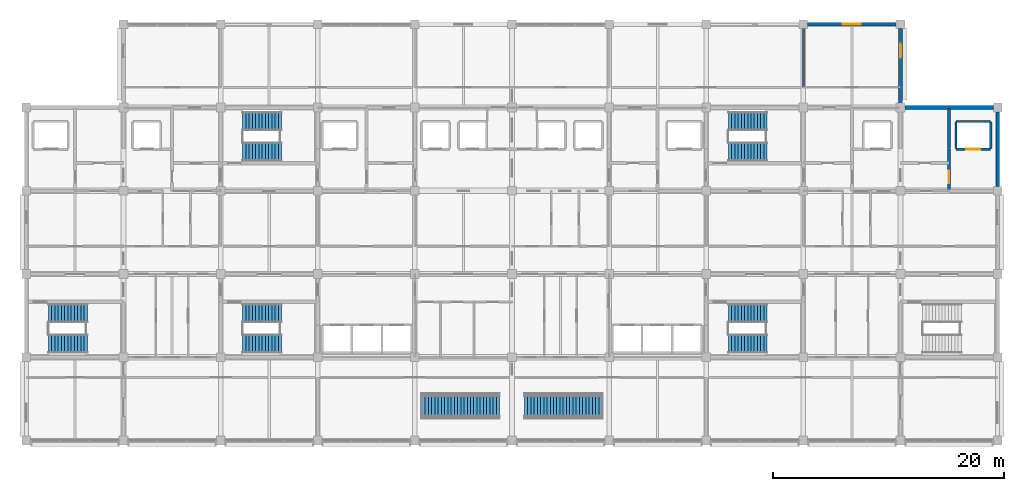
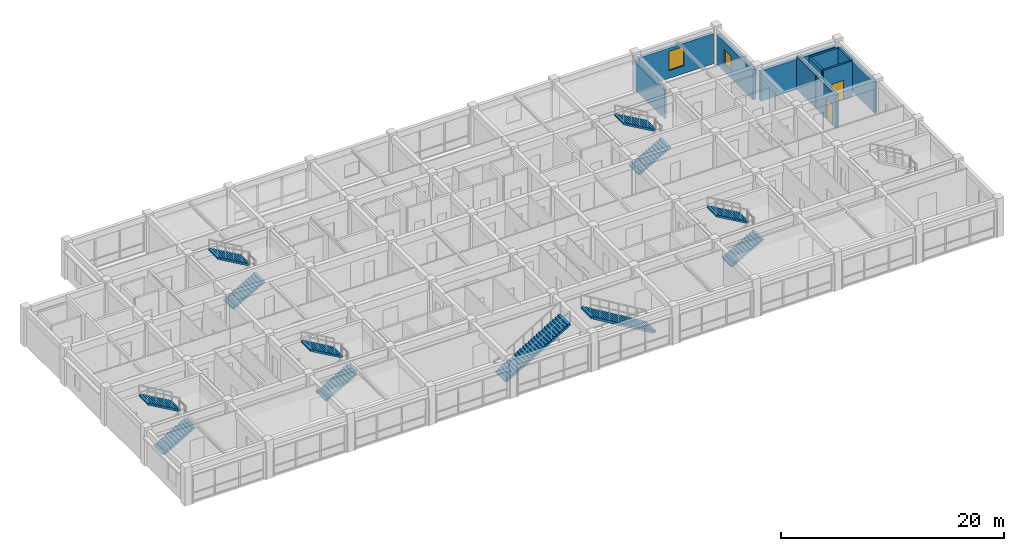
# One storey, part 23 of 27: 12 stair flights, 11 walls, 2 doors, 2 windows, 4 openings, 7 elements without a shape of their own.
"""IFC4 building model written with IfcOpenShell, lengths in metres."""

import ifcopenshell
import ifcopenshell.guid

model = None  # the IFC model being written
_history = None  # IfcOwnerHistory: only IFC2X3 demands one
_inside = {}  # id of a spatial element -> (the spatial element, [elements in it])
_under = {}  # id of a project, library or spatial element -> (it, [spatial elements below it])
_declared = {}  # id of a project -> (the project, [libraries it declares])
_typed = {}  # id of a type object -> (the type object, [elements of that type])
_made_of = {}  # id of a material, layer set ... -> (it, [elements and type objects made of it])


def new_model(schema):
    """Start an empty IFC model of exactly this schema.

    Asked for "IFC4X3", IfcOpenShell would pick the latest addendum, in which some entities
    have other attributes; the version numbers below select the first issue.
    IFC2X3 requires an IfcOwnerHistory on every rooted entity: one is made here for all.
    """
    global model, _history
    if schema == "IFC4X3":
        model = ifcopenshell.file(schema_version=(4, 3, 0, 0))
    else:
        model = ifcopenshell.file(schema=schema)
    _inside.clear()
    _under.clear()
    _declared.clear()
    _typed.clear()
    _made_of.clear()
    _history = None
    if model.schema == "IFC2X3":
        org = make("IfcOrganization", Name="unknown")
        user = make(
            "IfcPersonAndOrganization",
            ThePerson=make("IfcPerson", FamilyName="unknown"),
            TheOrganization=org,
        )
        app = make(
            "IfcApplication",
            ApplicationDeveloper=org,
            Version="unknown",
            ApplicationFullName="unknown",
            ApplicationIdentifier="unknown",
        )
        _history = make(
            "IfcOwnerHistory",
            OwningUser=user,
            OwningApplication=app,
            ChangeAction="ADDED",
            CreationDate=0,
        )
    return model


def make(cls, **values):
    """One entity of the class cls with the attributes given. An attribute that is None is left unset."""
    return model.create_entity(
        cls, **{name: value for name, value in values.items() if value is not None}
    )


def rooted(cls, **values):
    """An entity with a GlobalId (a new one), such as an element, a storey or a relation."""
    return make(cls, GlobalId=ifcopenshell.guid.new(), OwnerHistory=_history, **values)


def si_unit(unit_type, name, prefix=None):
    """IfcSIUnit, for example si_unit("LENGTHUNIT", "METRE", prefix="MILLI")."""
    return make("IfcSIUnit", UnitType=unit_type, Prefix=prefix, Name=name)


def assignment(units):
    """IfcUnitAssignment: the units of a project."""
    return None if units is None else make("IfcUnitAssignment", Units=units)


def point(xyz):
    """IfcCartesianPoint."""
    return None if xyz is None else make("IfcCartesianPoint", Coordinates=xyz)


def direction(xyz):
    """IfcDirection."""
    return None if xyz is None else make("IfcDirection", DirectionRatios=xyz)


def frame(location, z_axis=None, x_axis=None):
    """IfcAxis2Placement3D, a coordinate frame: its origin and axes. An axis left out is left unset."""
    return make(
        "IfcAxis2Placement3D",
        Location=point(location),
        Axis=direction(z_axis),
        RefDirection=direction(x_axis),
    )


def frame_2d(location, x_axis=None):
    """IfcAxis2Placement2D, a coordinate frame in the plane: its origin and x axis."""
    return make(
        "IfcAxis2Placement2D", Location=point(location), RefDirection=direction(x_axis)
    )


def origin():
    """The frame at (0, 0, 0) with its axes left unset."""
    return frame((0.0, 0.0, 0.0))


def place(relative_to, where):
    """IfcLocalPlacement: puts the frame where relative to a parent placement (None: the world)."""
    return make(
        "IfcLocalPlacement", PlacementRelTo=relative_to, RelativePlacement=where
    )


def context(
    kind, dimensions, precision=None, world=None, true_north=None, identifier=None
):
    """IfcGeometricRepresentationContext, for example the 3D "Model" context."""
    return make(
        "IfcGeometricRepresentationContext",
        ContextIdentifier=identifier,
        ContextType=kind,
        CoordinateSpaceDimension=dimensions,
        Precision=precision,
        WorldCoordinateSystem=world,
        TrueNorth=true_north,
    )


def subcontext(parent, identifier, kind, view, scale=None):
    """IfcGeometricRepresentationSubContext, for example "Body" below "Model"."""
    return make(
        "IfcGeometricRepresentationSubContext",
        ContextIdentifier=identifier,
        ContextType=kind,
        ParentContext=parent,
        TargetScale=scale,
        TargetView=view,
    )


def project(units=None, contexts=None):
    """IfcProject with its units and contexts."""
    return rooted(
        "IfcProject",
        Name="project",
        RepresentationContexts=contexts,
        UnitsInContext=assignment(units),
    )


def spatial(cls, under=None, at=None, **own):
    """A site, building, storey or space (cls), placed at a placement, below another one or the project."""
    s = rooted(cls, ObjectPlacement=at, **own)
    if under is not None:
        _under.setdefault(under.id(), (under, []))[1].append(s)
    return s


def polyline(points):
    """IfcPolyline through the points."""
    return make("IfcPolyline", Points=[point(p) for p in points])


def profile(cls, at=None, kind="AREA", **sizes):
    """A parametric profile (cls). Its sizes go by their IFC names, for example OverallWidth=200.0."""
    return make(cls, ProfileType=kind, Position=at, **sizes)


def rectangle(**sizes):
    """IfcRectangleProfileDef."""
    return profile("IfcRectangleProfileDef", **sizes)


def outline(outer, holes=None, kind="AREA"):
    """IfcArbitraryClosedProfileDef: a profile drawn as a closed curve; with holes, ...WithVoids."""
    if holes is None:
        return make("IfcArbitraryClosedProfileDef", ProfileType=kind, OuterCurve=outer)
    return make(
        "IfcArbitraryProfileDefWithVoids",
        ProfileType=kind,
        OuterCurve=outer,
        InnerCurves=holes,
    )


def extrude(swept, where, along, depth):
    """IfcExtrudedAreaSolid: the profile swept, set in the frame where, extruded along a direction by depth."""
    return make(
        "IfcExtrudedAreaSolid",
        SweptArea=swept,
        Position=where,
        ExtrudedDirection=direction(along),
        Depth=depth,
    )


def shape(context_of_items, identifier, shape_type, items):
    """IfcShapeRepresentation: the items that make up one representation, for example the "Body"."""
    return make(
        "IfcShapeRepresentation",
        ContextOfItems=context_of_items,
        RepresentationIdentifier=identifier,
        RepresentationType=shape_type,
        Items=items,
    )


def material(Name=None, Category=None):
    """IfcMaterial."""
    return make("IfcMaterial", Name=Name, Category=Category)


def layer(
    of_material, thickness, ventilated=None, Name=None, Category=None, Priority=None
):
    """IfcMaterialLayer: one layer of a wall or slab, of a material (None: an air gap)."""
    return make(
        "IfcMaterialLayer",
        Material=of_material,
        LayerThickness=thickness,
        IsVentilated=ventilated,
        Name=Name,
        Category=Category,
        Priority=Priority,
    )


def layer_set(layers, Name=None):
    """IfcMaterialLayerSet."""
    return make("IfcMaterialLayerSet", MaterialLayers=layers, LayerSetName=Name)


def made_of(thing, what):
    """Note that an element or type object is made of a material, layer set ...; save() writes the relation."""
    if what is not None:
        _made_of.setdefault(what.id(), (what, []))[1].append(thing)
    return thing


def type_object(cls, material=None, **own):
    """A type object (cls), such as IfcWallType, which elements share."""
    return made_of(rooted(cls, **own), material)


def element(
    cls,
    number,
    at=None,
    inside=None,
    cuts=None,
    type_object=None,
    material=None,
    context=None,
    identifier="Body",
    shape_type=None,
    held_by="IfcProductDefinitionShape",
    body=None,
    shapes=None,
    **own,
):
    """One element of the class cls, such as IfcWall. Its Tag is "e" and its number.

    at: its placement. inside: the storey or other place that contains it. cuts: it is an
    opening in that element (IfcRelVoidsElement). A single representation is given by context,
    identifier, shape_type and body (its items); several are given by shapes. held_by: the class
    of the entity that holds the representations. save() writes the other relations.
    """
    e = rooted(cls, Tag="e%d" % number, ObjectPlacement=at, **own)
    if body is not None:
        shapes = [shape(context, identifier, shape_type, body)]
    if shapes is not None:
        e.Representation = make(held_by, Representations=shapes)
    if inside is not None:
        _inside.setdefault(inside.id(), (inside, []))[1].append(e)
    if cuts is not None:
        rooted(
            "IfcRelVoidsElement", RelatingBuildingElement=cuts, RelatedOpeningElement=e
        )
    if type_object is not None:
        _typed.setdefault(type_object.id(), (type_object, []))[1].append(e)
    return made_of(e, material)


def fill(opening, filler):
    """IfcRelFillsElement: the door or window that sits in an opening."""
    return rooted(
        "IfcRelFillsElement",
        RelatingOpeningElement=opening,
        RelatedBuildingElement=filler,
    )


def aggregate(whole, parts):
    """IfcRelAggregates: a whole, such as a stair, and the parts it consists of."""
    return rooted("IfcRelAggregates", RelatingObject=whole, RelatedObjects=parts)


def save(model, path):
    """Write the relations noted so far, then the file.

    IfcRelAggregates (storeys below a building ...), IfcRelContainedInSpatialStructure (elements
    in a storey), IfcRelDefinesByType, IfcRelAssociatesMaterial and IfcRelDeclares: one each for
    every whole, place, type object, material and project.
    """
    for whole, parts in _under.values():
        aggregate(whole, parts)
    for where, things in _inside.values():
        rooted(
            "IfcRelContainedInSpatialStructure",
            RelatedElements=things,
            RelatingStructure=where,
        )
    for kind, things in _typed.values():
        rooted("IfcRelDefinesByType", RelatedObjects=things, RelatingType=kind)
    for what, things in _made_of.values():
        rooted("IfcRelAssociatesMaterial", RelatedObjects=things, RelatingMaterial=what)
    for by, libraries in _declared.values():
        rooted("IfcRelDeclares", RelatingContext=by, RelatedDefinitions=libraries)
    model.write(path)


model = new_model("IFC4")

# Units and contexts
model_context = context("Model", 3, precision=1e-05, world=origin(), true_north=direction((0.0, 1.0)))
body_context = subcontext(model_context, "Body", "Model", "MODEL_VIEW")
ifc_project = project(units=[si_unit("LENGTHUNIT", "METRE"), si_unit("AREAUNIT", "SQUARE_METRE"), si_unit("VOLUMEUNIT", "CUBIC_METRE"), si_unit("PLANEANGLEUNIT", "RADIAN"), si_unit("MASSUNIT", "GRAM", prefix="KILO")], contexts=[model_context])

# Site, building, storey
site_placement = place(None, origin())
site = spatial("IfcSite", under=ifc_project, at=site_placement, CompositionType="ELEMENT")
building_placement = place(site_placement, origin())
building = spatial("IfcBuilding", under=site, at=building_placement, Name="Chengyuan Square Courthouse", CompositionType="ELEMENT")
storey_placement = place(building_placement, frame((0.0, 0.0, 39.300048828125)))
storey = spatial("IfcBuildingStorey", under=building, at=storey_placement, Name="L09", CompositionType="ELEMENT", Elevation=39.300048828125)

# Wall, opening, window
ifc_material_1 = material(Name="Concrete C40", Category="concrete")
ifc_layer_1 = layer(ifc_material_1, 0.320068359375)
ifc_layer_set_1 = layer_set([ifc_layer_1], Name="Concrete C40")
wall_type_1 = type_object("IfcWallType", Name="WL-EW3", PredefinedType="STANDARD", material=ifc_layer_set_1)
wall_1_placement = place(storey_placement, frame((109.570068359375, 115.199951171875, 0.0), z_axis=(0.0, 0.0, 1.0), x_axis=(1.0, 0.0, 0.0)))
wall_1 = element("IfcWall", 1, at=wall_1_placement, inside=storey, type_object=wall_type_1, Name="Exterior Wall WL-L09-E422", PredefinedType="STANDARD", context=body_context, shape_type="SweptSolid", body=[
    extrude(rectangle(XDim=7.659912109375, YDim=0.320068359375, at=frame_2d((3.830078125, 0.0))), origin(), (0.0, 0.0, 1.0), 3.300048828125),
])
opening_1_placement = place(wall_1_placement, frame((3.054931640625, 0.0, 0.85009765625)))
opening_1 = element("IfcOpeningElement", 2, at=opening_1_placement, cuts=wall_1, Name="Opening WN-165", PredefinedType="OPENING", context=body_context, shape_type="SweptSolid", body=[
    extrude(rectangle(XDim=1.550048828125, YDim=2.1201171875, at=frame_2d((0.77490234375, 1.06005859375))), frame((0.0, 0.172119140625, 0.0), z_axis=(0.0, -1.0, 0.0), x_axis=(1.0, 0.0, 0.0)), (0.0, 0.0, 1.0), 0.343994140625),
])
ifc_material_2 = material(Name="Thermally Broken Aluminium Triple Low-E Window", Category="aluminium")
window_type_1 = type_object("IfcWindowType", Name="WT-30", PartitioningType="SINGLE_PANEL", PredefinedType="WINDOW", material=ifc_material_2)
window_1_placement = place(opening_1_placement, origin())
window_1 = element("IfcWindow", 3, at=window_1_placement, inside=storey, type_object=window_type_1, Name="Facade Window WN-165", OverallHeight=2.1201171875, OverallWidth=1.550048828125, PartitioningType="SINGLE_PANEL", PredefinedType="WINDOW", context=body_context, shape_type="SweptSolid", body=[
    extrude(rectangle(XDim=1.550048828125, YDim=2.1201171875, at=frame_2d((0.77490234375, 1.06005859375))), frame((0.0, 0.030029296875, 0.0), z_axis=(0.0, -1.0, 0.0), x_axis=(1.0, 0.0, 0.0)), (0.0, 0.0, 1.0), 0.06005859375),
])
fill(opening_1, window_1)

wall_2_placement = place(storey_placement, frame((117.60009765625, 108.3701171875, 0.0), z_axis=(0.0, 0.0, 1.0), x_axis=(0.0, 1.0, 0.0)))
wall_2 = element("IfcWall", 4, at=wall_2_placement, inside=storey, type_object=wall_type_1, Name="Exterior Wall WL-L09-E423", PredefinedType="STANDARD", context=body_context, shape_type="SweptSolid", body=[
    extrude(rectangle(XDim=6.4599609375, YDim=0.320068359375, at=frame_2d((3.22998046875, 0.0))), origin(), (0.0, 0.0, 1.0), 3.300048828125),
])
opening_2_placement = place(wall_2_placement, frame((3.929931640625, 0.0, 0.85009765625)))
opening_2 = element("IfcOpeningElement", 5, at=opening_2_placement, cuts=wall_2, Name="Opening WN-166", PredefinedType="OPENING", context=body_context, shape_type="SweptSolid", body=[
    extrude(rectangle(XDim=1.199951171875, YDim=1.56005859375, at=frame_2d((0.60009765625, 0.780029296875))), frame((0.0, 0.172119140625, 0.0), z_axis=(0.0, -1.0, 0.0), x_axis=(1.0, 0.0, 0.0)), (0.0, 0.0, 1.0), 0.343994140625),
])
window_type_2 = type_object("IfcWindowType", Name="WT-15", PartitioningType="SINGLE_PANEL", PredefinedType="WINDOW", material=ifc_material_2)
window_2_placement = place(opening_2_placement, origin())
window_2 = element("IfcWindow", 6, at=window_2_placement, inside=storey, type_object=window_type_2, Name="Facade Window WN-166", OverallHeight=1.56005859375, OverallWidth=1.199951171875, PartitioningType="SINGLE_PANEL", PredefinedType="WINDOW", context=body_context, shape_type="SweptSolid", body=[
    extrude(rectangle(XDim=1.199951171875, YDim=1.56005859375, at=frame_2d((0.60009765625, 0.780029296875))), frame((0.0, 0.030029296875, 0.0), z_axis=(0.0, -1.0, 0.0), x_axis=(1.0, 0.0, 0.0)), (0.0, 0.0, 1.0), 0.06005859375),
])
fill(opening_2, window_2)

# Walls
wall_3_placement = place(storey_placement, frame((117.969970703125, 108.0, 0.0), z_axis=(0.0, 0.0, 1.0), x_axis=(1.0, 0.0, 0.0)))
element("IfcWall", 7, at=wall_3_placement, inside=storey, type_object=wall_type_1, Name="Exterior Wall WL-L09-E427", PredefinedType="STANDARD", context=body_context, shape_type="SweptSolid", body=[
    extrude(rectangle(XDim=7.659912109375, YDim=0.320068359375, at=frame_2d((3.830078125, 0.0))), origin(), (0.0, 0.0, 1.0), 3.300048828125),
])
wall_4_placement = place(storey_placement, frame((126.0, 101.169921875, 0.0), z_axis=(0.0, 0.0, 1.0), x_axis=(0.0, 1.0, 0.0)))
element("IfcWall", 8, at=wall_4_placement, inside=storey, type_object=wall_type_1, Name="Exterior Wall WL-L09-E428", PredefinedType="STANDARD", context=body_context, shape_type="SweptSolid", body=[
    extrude(rectangle(XDim=6.4599609375, YDim=0.320068359375, at=frame_2d((3.22998046875, 0.0))), origin(), (0.0, 0.0, 1.0), 3.300048828125),
])

# Wall, opening, door
ifc_layer_2 = layer(ifc_material_1, 0.25)
ifc_layer_set_2 = layer_set([ifc_layer_2], Name="Concrete C40")
wall_type_2 = type_object("IfcWallType", Name="WL-FW1", PredefinedType="STANDARD", material=ifc_layer_set_2)
wall_5_placement = place(storey_placement, frame((121.800048828125, 100.800048828125, 0.0), z_axis=(0.0, 0.0, 1.0), x_axis=(0.0, 1.0, 0.0)))
wall_5 = element("IfcWall", 9, at=wall_5_placement, inside=storey, type_object=wall_type_2, Name="Interior Wall WL-L09-I3291", PredefinedType="STANDARD", context=body_context, shape_type="SweptSolid", body=[
    extrude(rectangle(XDim=3.599853515625, YDim=0.25, at=frame_2d((1.7998046875, 0.0))), origin(), (0.0, 0.0, 1.0), 3.599853515625),
])
opening_3_placement = place(wall_5_placement, frame((0.64990234375, 0.0, 0.0)))
opening_3 = element("IfcOpeningElement", 10, at=opening_3_placement, cuts=wall_5, Name="Opening DR-2670", PredefinedType="OPENING", context=body_context, shape_type="SweptSolid", body=[
    extrude(rectangle(XDim=1.10009765625, YDim=2.199951171875, at=frame_2d((0.550048828125, 1.10009765625))), frame((0.0, 0.136962890625, 0.0), z_axis=(0.0, -1.0, 0.0), x_axis=(1.0, 0.0, 0.0)), (0.0, 0.0, 1.0), 0.27392578125),
])
ifc_material_3 = material(Name="Steel Q235B Fire Door", Category="steel")
door_type_1 = type_object("IfcDoorType", Name="DT-10", OperationType="NOTDEFINED", PredefinedType="DOOR", material=ifc_material_3)
door_1_placement = place(opening_3_placement, origin())
door_1 = element("IfcDoor", 11, at=door_1_placement, inside=storey, type_object=door_type_1, Name="Interior Door DR-2670", OperationType="SINGLE_SWING_LEFT", OverallHeight=2.199951171875, OverallWidth=1.10009765625, PredefinedType="DOOR", context=body_context, shape_type="SweptSolid", body=[
    extrude(rectangle(XDim=1.10009765625, YDim=2.199951171875, at=frame_2d((0.550048828125, 1.10009765625))), frame((0.0, 0.02490234375, 0.0), z_axis=(0.0, -1.0, 0.0), x_axis=(1.0, 0.0, 0.0)), (0.0, 0.0, 1.0), 0.050048828125),
])
fill(opening_3, door_1)

# Walls
wall_6_placement = place(storey_placement, frame((121.800048828125, 104.449951171875, 0.0), z_axis=(0.0, 0.0, 1.0), x_axis=(0.0, 1.0, 0.0)))
element("IfcWall", 12, at=wall_6_placement, inside=storey, type_object=wall_type_2, Name="Interior Wall WL-L09-I3292", PredefinedType="STANDARD", context=body_context, shape_type="SweptSolid", body=[
    extrude(rectangle(XDim=3.4599609375, YDim=0.25, at=frame_2d((1.72998046875, 0.0))), origin(), (0.0, 0.0, 1.0), 3.599853515625),
])
ifc_material_4 = material(Name="Double-Stud Acoustic Gypsum Courtroom Partition")
ifc_layer_3 = layer(ifc_material_4, 0.179931640625)
ifc_layer_set_3 = layer_set([ifc_layer_3], Name="Double-Stud Acoustic Gypsum Courtroom Partition")
wall_type_3 = type_object("IfcWallType", Name="WL-PT1", PredefinedType="STANDARD", material=ifc_layer_set_3)
wall_7_placement = place(storey_placement, frame((109.199951171875, 109.75, 0.0), z_axis=(0.0, 0.0, 1.0), x_axis=(0.0, 1.0, 0.0)))
element("IfcWall", 13, at=wall_7_placement, inside=storey, type_object=wall_type_3, Name="Interior Wall WL-L09-I3278", PredefinedType="STANDARD", context=body_context, shape_type="SweptSolid", body=[
    extrude(rectangle(XDim=5.409912109375, YDim=0.179931640625, at=frame_2d((2.705078125, 0.0))), origin(), (0.0, 0.0, 1.0), 3.199951171875),
])

# Wall, opening, door
ifc_material_5 = material(Name="Reinforced Masonry Shaft Enclosure", Category="masonry")
ifc_layer_4 = layer(ifc_material_5, 0.199951171875)
ifc_layer_set_4 = layer_set([ifc_layer_4], Name="Reinforced Masonry Shaft Enclosure")
wall_type_4 = type_object("IfcWallType", Name="WL-SH1", PredefinedType="STANDARD", material=ifc_layer_set_4)
wall_8_placement = place(storey_placement, frame((122.39990234375, 104.39990234375, 0.0), z_axis=(0.0, 0.0, 1.0), x_axis=(1.0, 0.0, 0.0)))
wall_8 = element("IfcWall", 14, at=wall_8_placement, inside=storey, type_object=wall_type_4, Name="Interior Wall WL-L09-I3160", PredefinedType="STANDARD", context=body_context, shape_type="SweptSolid", body=[
    extrude(rectangle(XDim=3.0, YDim=0.199951171875, at=frame_2d((1.5, 0.0))), origin(), (0.0, 0.0, 1.0), 3.949951171875),
])
opening_4_placement = place(wall_8_placement, frame((0.89990234375, 0.0, 0.0)))
opening_4 = element("IfcOpeningElement", 15, at=opening_4_placement, cuts=wall_8, Name="Opening LD-152", PredefinedType="OPENING", context=body_context, shape_type="SweptSolid", body=[
    extrude(rectangle(XDim=1.199951171875, YDim=2.14990234375, at=frame_2d((0.60009765625, 1.074951171875))), frame((0.0, 0.112060546875, 0.0), z_axis=(0.0, -1.0, 0.0), x_axis=(1.0, 0.0, 0.0)), (0.0, 0.0, 1.0), 0.223876953125),
])
ifc_material_6 = material(Name="Stainless Steel S30408 Lift Landing Door", Category="steel")
door_type_2 = type_object("IfcDoorType", Name="DT-05", OperationType="DOUBLE_DOOR_SLIDING", PredefinedType="DOOR", material=ifc_material_6)
door_2_placement = place(opening_4_placement, origin())
door_2 = element("IfcDoor", 16, at=door_2_placement, inside=storey, type_object=door_type_2, Name="Lift Landing Door LF-F4 L09", OperationType="DOUBLE_DOOR_SLIDING", OverallHeight=2.14990234375, OverallWidth=1.199951171875, PredefinedType="DOOR", context=body_context, shape_type="SweptSolid", body=[
    extrude(rectangle(XDim=1.199951171875, YDim=2.14990234375, at=frame_2d((0.60009765625, 1.074951171875))), frame((0.0, 0.02490234375, 0.0), z_axis=(0.0, -1.0, 0.0), x_axis=(1.0, 0.0, 0.0)), (0.0, 0.0, 1.0), 0.050048828125),
])
fill(opening_4, door_2)

# Walls
wall_9_placement = place(storey_placement, frame((122.39990234375, 106.800048828125, 0.0), z_axis=(0.0, 0.0, 1.0), x_axis=(1.0, 0.0, 0.0)))
element("IfcWall", 17, at=wall_9_placement, inside=storey, type_object=wall_type_4, Name="Interior Wall WL-L09-I3170", PredefinedType="STANDARD", context=body_context, shape_type="SweptSolid", body=[
    extrude(rectangle(XDim=3.0, YDim=0.199951171875, at=frame_2d((1.5, 0.0))), origin(), (0.0, 0.0, 1.0), 3.949951171875),
])
for number, where, z_axis, x_axis, name in (
    (18, (122.39990234375, 104.449951171875, 0.0), (0.0, 0.0, 1.0), (0.0, 1.0, 0.0), "Interior Wall WL-L09-I3293"),
    (19, (125.39990234375, 104.449951171875, 0.0), (0.0, 0.0, 1.0), (0.0, 1.0, 0.0), "Interior Wall WL-L09-I3294"),
):
    element("IfcWall", number, at=place(storey_placement, frame(where, z_axis=z_axis, x_axis=x_axis)), inside=storey, type_object=wall_type_4, Name=name, PredefinedType="STANDARD", context=body_context, shape_type="SweptSolid", body=[
        extrude(rectangle(XDim=2.300048828125, YDim=0.199951171875, at=frame_2d((1.14990234375, 0.0))), origin(), (0.0, 0.0, 1.0), 3.949951171875),
    ])

# Stair, stair flights
stair_type_1 = type_object("IfcStairType", Name="ST-TYPE-01", PredefinedType="HALF_TURN_STAIR", material=ifc_material_1)
stair_1_placement = place(storey_placement, origin())
stair_1 = element("IfcStair", 20, at=stair_1_placement, inside=storey, type_object=stair_type_1, Name="Smoke-Proof Exit Stair ST-1 (L09 to L10)", PredefinedType="HALF_TURN_STAIR")
stair_flight_type_1 = type_object("IfcStairFlightType", Name="STF-TYPE-01", PredefinedType="STRAIGHT", material=ifc_material_1)
stair_flight_1_placement = place(storey_placement, frame((60.7099609375, 104.175048828125, 0.0), z_axis=(0.0, 0.0, 1.0), x_axis=(1.0, 0.0, 0.0)))
stair_flight_1 = element("IfcStairFlight", 21, at=stair_flight_1_placement, type_object=stair_flight_type_1, Name="ST-1 flight 1", NumberOfRisers=13, NumberOfTreads=12, PredefinedType="STRAIGHT", RiserHeight=0.161538462, TreadLength=0.28, context=body_context, shape_type="SweptSolid", body=[
    extrude(outline(polyline([(0.0, 0.0), (0.0, 0.16162109375), (0.280029296875, 0.16162109375), (0.280029296875, 0.322998046875), (0.56005859375, 0.322998046875), (0.56005859375, 0.484619140625), (0.840087890625, 0.484619140625), (0.840087890625, 0.646240234375), (1.1201171875, 0.646240234375), (1.1201171875, 0.8076171875), (1.39990234375, 0.8076171875), (1.39990234375, 0.96923828125), (1.679931640625, 0.96923828125), (1.679931640625, 1.130859375), (1.9599609375, 1.130859375), (1.9599609375, 1.292236328125), (2.239990234375, 1.292236328125), (2.239990234375, 1.453857421875), (2.52001953125, 1.453857421875), (2.52001953125, 1.615478515625), (2.800048828125, 1.615478515625), (2.800048828125, 1.77685546875), (3.080078125, 1.77685546875), (3.080078125, 1.9384765625), (3.360107421875, 1.9384765625), (3.360107421875, 2.10009765625), (3.360107421875, 1.765380859375), (0.300048828125, 0.0), (0.0, 0.0)])), frame((0.0, 0.824951171875, 0.0), z_axis=(0.0, -1.0, 0.0), x_axis=(1.0, 0.0, 0.0)), (0.0, 0.0, 1.0), 1.64990234375),
])
stair_flight_2_placement = place(storey_placement, frame((64.070068359375, 106.824951171875, 2.099853515625), z_axis=(0.0, 0.0, 1.0), x_axis=(-1.0, 0.0, 0.0)))
stair_flight_2 = element("IfcStairFlight", 22, at=stair_flight_2_placement, type_object=stair_flight_type_1, Name="ST-1 flight 2", NumberOfRisers=13, NumberOfTreads=12, PredefinedType="STRAIGHT", RiserHeight=0.161538462, TreadLength=0.28, context=body_context, shape_type="SweptSolid", body=[
    extrude(outline(polyline([(0.0, 0.0), (0.0, 0.16162109375), (0.280029296875, 0.16162109375), (0.280029296875, 0.322998046875), (0.56005859375, 0.322998046875), (0.56005859375, 0.484619140625), (0.840087890625, 0.484619140625), (0.840087890625, 0.646240234375), (1.1201171875, 0.646240234375), (1.1201171875, 0.8076171875), (1.39990234375, 0.8076171875), (1.39990234375, 0.96923828125), (1.679931640625, 0.96923828125), (1.679931640625, 1.130859375), (1.9599609375, 1.130859375), (1.9599609375, 1.292236328125), (2.239990234375, 1.292236328125), (2.239990234375, 1.453857421875), (2.52001953125, 1.453857421875), (2.52001953125, 1.615478515625), (2.800048828125, 1.615478515625), (2.800048828125, 1.77685546875), (3.080078125, 1.77685546875), (3.080078125, 1.9384765625), (3.360107421875, 1.9384765625), (3.360107421875, 2.10009765625), (3.360107421875, 1.765380859375), (0.300048828125, 0.0), (0.0, 0.0)])), frame((0.0, 0.824951171875, 0.0), z_axis=(0.0, -1.0, 0.0), x_axis=(1.0, 0.0, 0.0)), (0.0, 0.0, 1.0), 1.64990234375),
])
aggregate(stair_1, [stair_flight_1, stair_flight_2])

stair_type_2 = type_object("IfcStairType", Name="ST-TYPE-02", PredefinedType="HALF_TURN_STAIR", material=ifc_material_1)
stair_2_placement = place(storey_placement, origin())
stair_2 = element("IfcStair", 23, at=stair_2_placement, inside=storey, type_object=stair_type_2, Name="Smoke-Proof Exit Stair ST-2 (L09 to L10)", PredefinedType="HALF_TURN_STAIR")
stair_flight_type_2 = type_object("IfcStairFlightType", Name="STF-TYPE-02", PredefinedType="STRAIGHT", material=ifc_material_1)
stair_flight_3_placement = place(storey_placement, frame((102.7099609375, 104.175048828125, 0.0), z_axis=(0.0, 0.0, 1.0), x_axis=(1.0, 0.0, 0.0)))
stair_flight_3 = element("IfcStairFlight", 24, at=stair_flight_3_placement, type_object=stair_flight_type_2, Name="ST-2 flight 1", NumberOfRisers=13, NumberOfTreads=12, PredefinedType="STRAIGHT", RiserHeight=0.161538462, TreadLength=0.28, context=body_context, shape_type="SweptSolid", body=[
    extrude(outline(polyline([(0.0, 0.0), (0.0, 0.16162109375), (0.280029296875, 0.16162109375), (0.280029296875, 0.322998046875), (0.56005859375, 0.322998046875), (0.56005859375, 0.484619140625), (0.840087890625, 0.484619140625), (0.840087890625, 0.646240234375), (1.1201171875, 0.646240234375), (1.1201171875, 0.8076171875), (1.39990234375, 0.8076171875), (1.39990234375, 0.96923828125), (1.679931640625, 0.96923828125), (1.679931640625, 1.130859375), (1.9599609375, 1.130859375), (1.9599609375, 1.292236328125), (2.239990234375, 1.292236328125), (2.239990234375, 1.453857421875), (2.52001953125, 1.453857421875), (2.52001953125, 1.615478515625), (2.800048828125, 1.615478515625), (2.800048828125, 1.77685546875), (3.080078125, 1.77685546875), (3.080078125, 1.9384765625), (3.360107421875, 1.9384765625), (3.360107421875, 2.10009765625), (3.360107421875, 1.765380859375), (0.300048828125, 0.0), (0.0, 0.0)])), frame((0.0, 0.824951171875, 0.0), z_axis=(0.0, -1.0, 0.0), x_axis=(1.0, 0.0, 0.0)), (0.0, 0.0, 1.0), 1.64990234375),
])
stair_flight_4_placement = place(storey_placement, frame((106.070068359375, 106.824951171875, 2.099853515625), z_axis=(0.0, 0.0, 1.0), x_axis=(-1.0, 0.0, 0.0)))
stair_flight_4 = element("IfcStairFlight", 25, at=stair_flight_4_placement, type_object=stair_flight_type_2, Name="ST-2 flight 2", NumberOfRisers=13, NumberOfTreads=12, PredefinedType="STRAIGHT", RiserHeight=0.161538462, TreadLength=0.28, context=body_context, shape_type="SweptSolid", body=[
    extrude(outline(polyline([(0.0, 0.0), (0.0, 0.16162109375), (0.280029296875, 0.16162109375), (0.280029296875, 0.322998046875), (0.56005859375, 0.322998046875), (0.56005859375, 0.484619140625), (0.840087890625, 0.484619140625), (0.840087890625, 0.646240234375), (1.1201171875, 0.646240234375), (1.1201171875, 0.8076171875), (1.39990234375, 0.8076171875), (1.39990234375, 0.96923828125), (1.679931640625, 0.96923828125), (1.679931640625, 1.130859375), (1.9599609375, 1.130859375), (1.9599609375, 1.292236328125), (2.239990234375, 1.292236328125), (2.239990234375, 1.453857421875), (2.52001953125, 1.453857421875), (2.52001953125, 1.615478515625), (2.800048828125, 1.615478515625), (2.800048828125, 1.77685546875), (3.080078125, 1.77685546875), (3.080078125, 1.9384765625), (3.360107421875, 1.9384765625), (3.360107421875, 2.10009765625), (3.360107421875, 1.765380859375), (0.300048828125, 0.0), (0.0, 0.0)])), frame((0.0, 0.824951171875, 0.0), z_axis=(0.0, -1.0, 0.0), x_axis=(1.0, 0.0, 0.0)), (0.0, 0.0, 1.0), 1.64990234375),
])
aggregate(stair_2, [stair_flight_3, stair_flight_4])

stair_type_3 = type_object("IfcStairType", Name="ST-TYPE-03", PredefinedType="HALF_TURN_STAIR", material=ifc_material_1)
stair_3_placement = place(storey_placement, origin())
stair_3 = element("IfcStair", 26, at=stair_3_placement, inside=storey, type_object=stair_type_3, Name="Smoke-Proof Exit Stair ST-3 (L09 to L10)", PredefinedType="HALF_TURN_STAIR")
stair_flight_type_3 = type_object("IfcStairFlightType", Name="STF-TYPE-03", PredefinedType="STRAIGHT", material=ifc_material_1)
stair_flight_5_placement = place(storey_placement, frame((60.7099609375, 87.574951171875, 0.0), z_axis=(0.0, 0.0, 1.0), x_axis=(1.0, 0.0, 0.0)))
stair_flight_5 = element("IfcStairFlight", 27, at=stair_flight_5_placement, type_object=stair_flight_type_3, Name="ST-3 flight 1", NumberOfRisers=13, NumberOfTreads=12, PredefinedType="STRAIGHT", RiserHeight=0.161538462, TreadLength=0.28, context=body_context, shape_type="SweptSolid", body=[
    extrude(outline(polyline([(0.0, 0.0), (0.0, 0.16162109375), (0.280029296875, 0.16162109375), (0.280029296875, 0.322998046875), (0.56005859375, 0.322998046875), (0.56005859375, 0.484619140625), (0.840087890625, 0.484619140625), (0.840087890625, 0.646240234375), (1.1201171875, 0.646240234375), (1.1201171875, 0.8076171875), (1.39990234375, 0.8076171875), (1.39990234375, 0.96923828125), (1.679931640625, 0.96923828125), (1.679931640625, 1.130859375), (1.9599609375, 1.130859375), (1.9599609375, 1.292236328125), (2.239990234375, 1.292236328125), (2.239990234375, 1.453857421875), (2.52001953125, 1.453857421875), (2.52001953125, 1.615478515625), (2.800048828125, 1.615478515625), (2.800048828125, 1.77685546875), (3.080078125, 1.77685546875), (3.080078125, 1.9384765625), (3.360107421875, 1.9384765625), (3.360107421875, 2.10009765625), (3.360107421875, 1.765380859375), (0.300048828125, 0.0), (0.0, 0.0)])), frame((0.0, 0.824951171875, 0.0), z_axis=(0.0, -1.0, 0.0), x_axis=(1.0, 0.0, 0.0)), (0.0, 0.0, 1.0), 1.64990234375),
])
stair_flight_6_placement = place(storey_placement, frame((64.070068359375, 90.22509765625, 2.099853515625), z_axis=(0.0, 0.0, 1.0), x_axis=(-1.0, 0.0, 0.0)))
stair_flight_6 = element("IfcStairFlight", 28, at=stair_flight_6_placement, type_object=stair_flight_type_3, Name="ST-3 flight 2", NumberOfRisers=13, NumberOfTreads=12, PredefinedType="STRAIGHT", RiserHeight=0.161538462, TreadLength=0.28, context=body_context, shape_type="SweptSolid", body=[
    extrude(outline(polyline([(0.0, 0.0), (0.0, 0.16162109375), (0.280029296875, 0.16162109375), (0.280029296875, 0.322998046875), (0.56005859375, 0.322998046875), (0.56005859375, 0.484619140625), (0.840087890625, 0.484619140625), (0.840087890625, 0.646240234375), (1.1201171875, 0.646240234375), (1.1201171875, 0.8076171875), (1.39990234375, 0.8076171875), (1.39990234375, 0.96923828125), (1.679931640625, 0.96923828125), (1.679931640625, 1.130859375), (1.9599609375, 1.130859375), (1.9599609375, 1.292236328125), (2.239990234375, 1.292236328125), (2.239990234375, 1.453857421875), (2.52001953125, 1.453857421875), (2.52001953125, 1.615478515625), (2.800048828125, 1.615478515625), (2.800048828125, 1.77685546875), (3.080078125, 1.77685546875), (3.080078125, 1.9384765625), (3.360107421875, 1.9384765625), (3.360107421875, 2.10009765625), (3.360107421875, 1.765380859375), (0.300048828125, 0.0), (0.0, 0.0)])), frame((0.0, 0.824951171875, 0.0), z_axis=(0.0, -1.0, 0.0), x_axis=(1.0, 0.0, 0.0)), (0.0, 0.0, 1.0), 1.64990234375),
])
aggregate(stair_3, [stair_flight_5, stair_flight_6])

stair_type_4 = type_object("IfcStairType", Name="ST-TYPE-04", PredefinedType="HALF_TURN_STAIR", material=ifc_material_1)
stair_4_placement = place(storey_placement, origin())
stair_4 = element("IfcStair", 29, at=stair_4_placement, inside=storey, type_object=stair_type_4, Name="Smoke-Proof Exit Stair ST-4 (L09 to L10)", PredefinedType="HALF_TURN_STAIR")
stair_flight_type_4 = type_object("IfcStairFlightType", Name="STF-TYPE-04", PredefinedType="STRAIGHT", material=ifc_material_1)
stair_flight_7_placement = place(storey_placement, frame((102.7099609375, 87.574951171875, 0.0), z_axis=(0.0, 0.0, 1.0), x_axis=(1.0, 0.0, 0.0)))
stair_flight_7 = element("IfcStairFlight", 30, at=stair_flight_7_placement, type_object=stair_flight_type_4, Name="ST-4 flight 1", NumberOfRisers=13, NumberOfTreads=12, PredefinedType="STRAIGHT", RiserHeight=0.161538462, TreadLength=0.28, context=body_context, shape_type="SweptSolid", body=[
    extrude(outline(polyline([(0.0, 0.0), (0.0, 0.16162109375), (0.280029296875, 0.16162109375), (0.280029296875, 0.322998046875), (0.56005859375, 0.322998046875), (0.56005859375, 0.484619140625), (0.840087890625, 0.484619140625), (0.840087890625, 0.646240234375), (1.1201171875, 0.646240234375), (1.1201171875, 0.8076171875), (1.39990234375, 0.8076171875), (1.39990234375, 0.96923828125), (1.679931640625, 0.96923828125), (1.679931640625, 1.130859375), (1.9599609375, 1.130859375), (1.9599609375, 1.292236328125), (2.239990234375, 1.292236328125), (2.239990234375, 1.453857421875), (2.52001953125, 1.453857421875), (2.52001953125, 1.615478515625), (2.800048828125, 1.615478515625), (2.800048828125, 1.77685546875), (3.080078125, 1.77685546875), (3.080078125, 1.9384765625), (3.360107421875, 1.9384765625), (3.360107421875, 2.10009765625), (3.360107421875, 1.765380859375), (0.300048828125, 0.0), (0.0, 0.0)])), frame((0.0, 0.824951171875, 0.0), z_axis=(0.0, -1.0, 0.0), x_axis=(1.0, 0.0, 0.0)), (0.0, 0.0, 1.0), 1.64990234375),
])
stair_flight_8_placement = place(storey_placement, frame((106.070068359375, 90.22509765625, 2.099853515625), z_axis=(0.0, 0.0, 1.0), x_axis=(-1.0, 0.0, 0.0)))
stair_flight_8 = element("IfcStairFlight", 31, at=stair_flight_8_placement, type_object=stair_flight_type_4, Name="ST-4 flight 2", NumberOfRisers=13, NumberOfTreads=12, PredefinedType="STRAIGHT", RiserHeight=0.161538462, TreadLength=0.28, context=body_context, shape_type="SweptSolid", body=[
    extrude(outline(polyline([(0.0, 0.0), (0.0, 0.16162109375), (0.280029296875, 0.16162109375), (0.280029296875, 0.322998046875), (0.56005859375, 0.322998046875), (0.56005859375, 0.484619140625), (0.840087890625, 0.484619140625), (0.840087890625, 0.646240234375), (1.1201171875, 0.646240234375), (1.1201171875, 0.8076171875), (1.39990234375, 0.8076171875), (1.39990234375, 0.96923828125), (1.679931640625, 0.96923828125), (1.679931640625, 1.130859375), (1.9599609375, 1.130859375), (1.9599609375, 1.292236328125), (2.239990234375, 1.292236328125), (2.239990234375, 1.453857421875), (2.52001953125, 1.453857421875), (2.52001953125, 1.615478515625), (2.800048828125, 1.615478515625), (2.800048828125, 1.77685546875), (3.080078125, 1.77685546875), (3.080078125, 1.9384765625), (3.360107421875, 1.9384765625), (3.360107421875, 2.10009765625), (3.360107421875, 1.765380859375), (0.300048828125, 0.0), (0.0, 0.0)])), frame((0.0, 0.824951171875, 0.0), z_axis=(0.0, -1.0, 0.0), x_axis=(1.0, 0.0, 0.0)), (0.0, 0.0, 1.0), 1.64990234375),
])
aggregate(stair_4, [stair_flight_7, stair_flight_8])

stair_type_5 = type_object("IfcStairType", Name="ST-TYPE-05", PredefinedType="HALF_TURN_STAIR", material=ifc_material_1)
stair_5_placement = place(storey_placement, origin())
stair_5 = element("IfcStair", 32, at=stair_5_placement, inside=storey, type_object=stair_type_5, Name="Smoke-Proof Exit Stair ST-5 (L09 to L10)", PredefinedType="HALF_TURN_STAIR")
stair_flight_type_5 = type_object("IfcStairFlightType", Name="STF-TYPE-05", PredefinedType="STRAIGHT", material=ifc_material_1)
stair_flight_9_placement = place(storey_placement, frame((43.909912109375, 87.574951171875, 0.0), z_axis=(0.0, 0.0, 1.0), x_axis=(1.0, 0.0, 0.0)))
stair_flight_9 = element("IfcStairFlight", 33, at=stair_flight_9_placement, type_object=stair_flight_type_5, Name="ST-5 flight 1", NumberOfRisers=13, NumberOfTreads=12, PredefinedType="STRAIGHT", RiserHeight=0.161538462, TreadLength=0.28, context=body_context, shape_type="SweptSolid", body=[
    extrude(outline(polyline([(0.0, 0.0), (0.0, 0.16162109375), (0.280029296875, 0.16162109375), (0.280029296875, 0.322998046875), (0.56005859375, 0.322998046875), (0.56005859375, 0.484619140625), (0.840087890625, 0.484619140625), (0.840087890625, 0.646240234375), (1.1201171875, 0.646240234375), (1.1201171875, 0.8076171875), (1.39990234375, 0.8076171875), (1.39990234375, 0.96923828125), (1.679931640625, 0.96923828125), (1.679931640625, 1.130859375), (1.9599609375, 1.130859375), (1.9599609375, 1.292236328125), (2.239990234375, 1.292236328125), (2.239990234375, 1.453857421875), (2.52001953125, 1.453857421875), (2.52001953125, 1.615478515625), (2.800048828125, 1.615478515625), (2.800048828125, 1.77685546875), (3.080078125, 1.77685546875), (3.080078125, 1.9384765625), (3.360107421875, 1.9384765625), (3.360107421875, 2.10009765625), (3.360107421875, 1.765380859375), (0.300048828125, 0.0), (0.0, 0.0)])), frame((0.0, 0.824951171875, 0.0), z_axis=(0.0, -1.0, 0.0), x_axis=(1.0, 0.0, 0.0)), (0.0, 0.0, 1.0), 1.64990234375),
])
stair_flight_10_placement = place(storey_placement, frame((47.27001953125, 90.22509765625, 2.099853515625), z_axis=(0.0, 0.0, 1.0), x_axis=(-1.0, 0.0, 0.0)))
stair_flight_10 = element("IfcStairFlight", 34, at=stair_flight_10_placement, type_object=stair_flight_type_5, Name="ST-5 flight 2", NumberOfRisers=13, NumberOfTreads=12, PredefinedType="STRAIGHT", RiserHeight=0.161538462, TreadLength=0.28, context=body_context, shape_type="SweptSolid", body=[
    extrude(outline(polyline([(0.0, 0.0), (0.0, 0.16162109375), (0.280029296875, 0.16162109375), (0.280029296875, 0.322998046875), (0.56005859375, 0.322998046875), (0.56005859375, 0.484619140625), (0.840087890625, 0.484619140625), (0.840087890625, 0.646240234375), (1.1201171875, 0.646240234375), (1.1201171875, 0.8076171875), (1.39990234375, 0.8076171875), (1.39990234375, 0.96923828125), (1.679931640625, 0.96923828125), (1.679931640625, 1.130859375), (1.9599609375, 1.130859375), (1.9599609375, 1.292236328125), (2.239990234375, 1.292236328125), (2.239990234375, 1.453857421875), (2.52001953125, 1.453857421875), (2.52001953125, 1.615478515625), (2.800048828125, 1.615478515625), (2.800048828125, 1.77685546875), (3.080078125, 1.77685546875), (3.080078125, 1.9384765625), (3.360107421875, 1.9384765625), (3.360107421875, 2.10009765625), (3.360107421875, 1.765380859375), (0.300048828125, 0.0), (0.0, 0.0)])), frame((0.0, 0.824951171875, 0.0), z_axis=(0.0, -1.0, 0.0), x_axis=(1.0, 0.0, 0.0)), (0.0, 0.0, 1.0), 1.64990234375),
])
aggregate(stair_5, [stair_flight_9, stair_flight_10])

# Stair, stair flight
stair_type_6 = type_object("IfcStairType", Name="ST-TYPE-11", PredefinedType="STRAIGHT_RUN_STAIR", material=ifc_material_1)
stair_6_placement = place(storey_placement, origin())
stair_6 = element("IfcStair", 35, at=stair_6_placement, inside=storey, type_object=stair_type_6, Name="Feature Collegial Stair ST-11C", PredefinedType="STRAIGHT_RUN_STAIR")
stair_flight_type_6 = type_object("IfcStairFlightType", Name="STF-TYPE-11", PredefinedType="STRAIGHT", material=ifc_material_1)
stair_flight_11_placement = place(storey_placement, frame((76.2099609375, 82.199951171875, 0.0), z_axis=(0.0, 0.0, 1.0), x_axis=(1.0, 0.0, 0.0)))
stair_flight_11 = element("IfcStairFlight", 36, at=stair_flight_11_placement, type_object=stair_flight_type_6, Name="ST-11 flight 1", NumberOfRisers=25, NumberOfTreads=24, PredefinedType="STRAIGHT", RiserHeight=0.168, TreadLength=0.28, context=body_context, shape_type="SweptSolid", body=[
    extrude(outline(polyline([(0.0, 0.0), (0.0, 0.16796875), (0.280029296875, 0.16796875), (0.280029296875, 0.3359375), (0.56005859375, 0.3359375), (0.56005859375, 0.50390625), (0.840087890625, 0.50390625), (0.840087890625, 0.672119140625), (1.1201171875, 0.672119140625), (1.1201171875, 0.840087890625), (1.39990234375, 0.840087890625), (1.39990234375, 1.008056640625), (1.679931640625, 1.008056640625), (1.679931640625, 1.176025390625), (1.9599609375, 1.176025390625), (1.9599609375, 1.343994140625), (2.239990234375, 1.343994140625), (2.239990234375, 1.511962890625), (2.52001953125, 1.511962890625), (2.52001953125, 1.679931640625), (2.800048828125, 1.679931640625), (2.800048828125, 1.847900390625), (3.080078125, 1.847900390625), (3.080078125, 2.01611328125), (3.360107421875, 2.01611328125), (3.360107421875, 2.18408203125), (3.639892578125, 2.18408203125), (3.639892578125, 2.35205078125), (3.919921875, 2.35205078125), (3.919921875, 2.52001953125), (4.199951171875, 2.52001953125), (4.199951171875, 2.68798828125), (4.47998046875, 2.68798828125), (4.47998046875, 2.85595703125), (4.760009765625, 2.85595703125), (4.760009765625, 3.02392578125), (5.0400390625, 3.02392578125), (5.0400390625, 3.19189453125), (5.320068359375, 3.19189453125), (5.320068359375, 3.360107421875), (5.60009765625, 3.360107421875), (5.60009765625, 3.528076171875), (5.8798828125, 3.528076171875), (5.8798828125, 3.696044921875), (6.159912109375, 3.696044921875), (6.159912109375, 3.864013671875), (6.43994140625, 3.864013671875), (6.43994140625, 4.031982421875), (6.719970703125, 4.031982421875), (6.719970703125, 4.199951171875), (6.719970703125, 3.822265625), (0.349609375, 0.0), (0.0, 0.0)])), frame((0.0, 0.89990234375, 0.0), z_axis=(0.0, -1.0, 0.0), x_axis=(1.0, 0.0, 0.0)), (0.0, 0.0, 1.0), 1.800048828125),
])
aggregate(stair_6, [stair_flight_11])

stair_7_placement = place(storey_placement, origin())
stair_7 = element("IfcStair", 37, at=stair_7_placement, inside=storey, type_object=stair_type_6, Name="Feature Collegial Stair ST-11D", PredefinedType="STRAIGHT_RUN_STAIR")
stair_flight_12_placement = place(storey_placement, frame((91.7900390625, 82.199951171875, 0.0), z_axis=(0.0, 0.0, 1.0), x_axis=(-1.0, 0.0, 0.0)))
stair_flight_12 = element("IfcStairFlight", 38, at=stair_flight_12_placement, type_object=stair_flight_type_6, Name="ST-11 flight 1", NumberOfRisers=25, NumberOfTreads=24, PredefinedType="STRAIGHT", RiserHeight=0.168, TreadLength=0.28, context=body_context, shape_type="SweptSolid", body=[
    extrude(outline(polyline([(0.0, 0.0), (0.0, 0.16796875), (0.280029296875, 0.16796875), (0.280029296875, 0.3359375), (0.56005859375, 0.3359375), (0.56005859375, 0.50390625), (0.840087890625, 0.50390625), (0.840087890625, 0.672119140625), (1.1201171875, 0.672119140625), (1.1201171875, 0.840087890625), (1.39990234375, 0.840087890625), (1.39990234375, 1.008056640625), (1.679931640625, 1.008056640625), (1.679931640625, 1.176025390625), (1.9599609375, 1.176025390625), (1.9599609375, 1.343994140625), (2.239990234375, 1.343994140625), (2.239990234375, 1.511962890625), (2.52001953125, 1.511962890625), (2.52001953125, 1.679931640625), (2.800048828125, 1.679931640625), (2.800048828125, 1.847900390625), (3.080078125, 1.847900390625), (3.080078125, 2.01611328125), (3.360107421875, 2.01611328125), (3.360107421875, 2.18408203125), (3.639892578125, 2.18408203125), (3.639892578125, 2.35205078125), (3.919921875, 2.35205078125), (3.919921875, 2.52001953125), (4.199951171875, 2.52001953125), (4.199951171875, 2.68798828125), (4.47998046875, 2.68798828125), (4.47998046875, 2.85595703125), (4.760009765625, 2.85595703125), (4.760009765625, 3.02392578125), (5.0400390625, 3.02392578125), (5.0400390625, 3.19189453125), (5.320068359375, 3.19189453125), (5.320068359375, 3.360107421875), (5.60009765625, 3.360107421875), (5.60009765625, 3.528076171875), (5.8798828125, 3.528076171875), (5.8798828125, 3.696044921875), (6.159912109375, 3.696044921875), (6.159912109375, 3.864013671875), (6.43994140625, 3.864013671875), (6.43994140625, 4.031982421875), (6.719970703125, 4.031982421875), (6.719970703125, 4.199951171875), (6.719970703125, 3.822265625), (0.349609375, 0.0), (0.0, 0.0)])), frame((0.0, 0.89990234375, 0.0), z_axis=(0.0, -1.0, 0.0), x_axis=(1.0, 0.0, 0.0)), (0.0, 0.0, 1.0), 1.800048828125),
])
aggregate(stair_7, [stair_flight_12])

save(model, "model.ifc")
